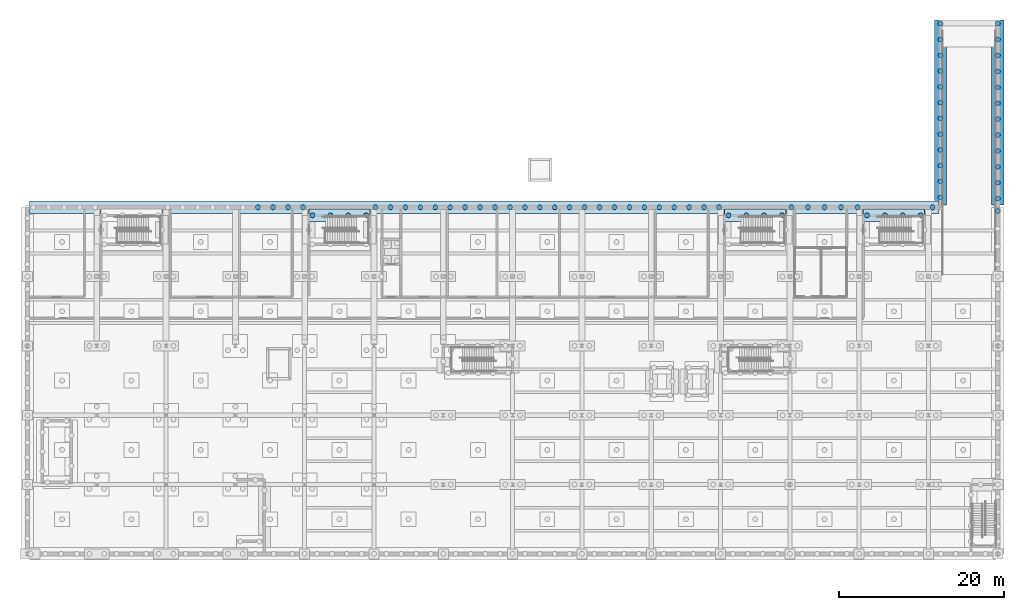
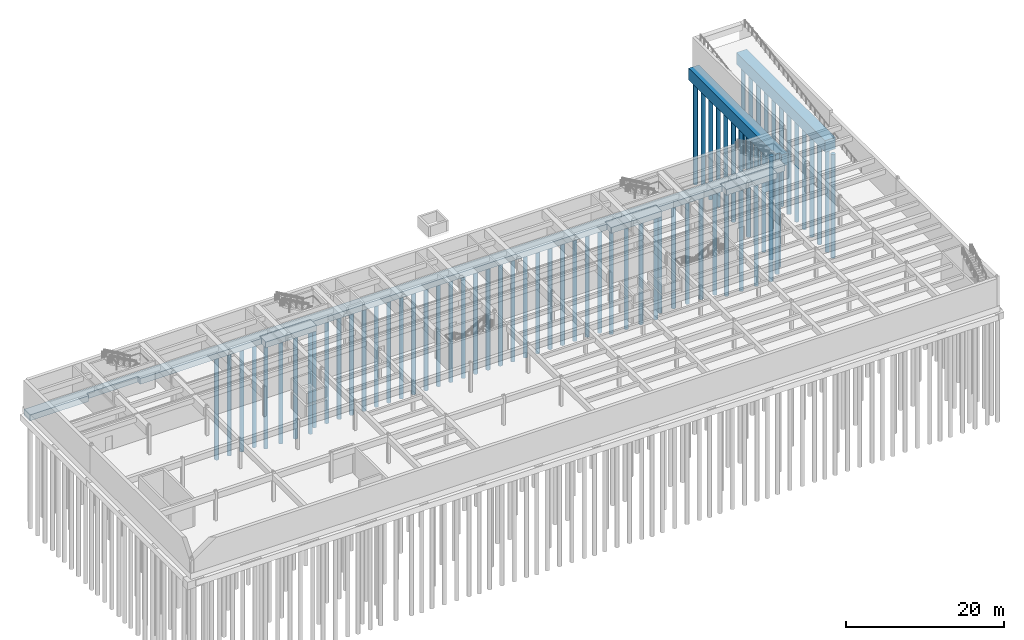
# One storey, part 10 of 33: 71 piles, 6 footings.
"""IFC4 building model written with IfcOpenShell, lengths in metres."""

from ifc_helpers import new_model, si_unit, direction, frame, origin, origin_2d, place, context, subcontext, project, spatial, polyline, circle, outline, extrude, material, layer, layer_set, material_profile, profile_set, type_object, element, save


model = new_model("IFC4")

# Units and contexts
model_context = context("Model", 3, precision=1e-05, world=origin(), true_north=direction((0.0, 1.0)))
body_context = subcontext(model_context, "Body", "Model", "MODEL_VIEW")
ifc_project = project(units=[si_unit("LENGTHUNIT", "METRE"), si_unit("AREAUNIT", "SQUARE_METRE"), si_unit("VOLUMEUNIT", "CUBIC_METRE"), si_unit("PLANEANGLEUNIT", "RADIAN"), si_unit("MASSUNIT", "GRAM", prefix="KILO")], contexts=[model_context])

# Site, building, storey
site_placement = place(None, origin())
site = spatial("IfcSite", under=ifc_project, at=site_placement, CompositionType="ELEMENT")
building_placement = place(site_placement, origin())
building = spatial("IfcBuilding", under=site, at=building_placement, Name="Ljudholm Concert House", CompositionType="ELEMENT")
storey_placement = place(building_placement, frame((0.0, 0.0, -4.60009765625)))
storey = spatial("IfcBuildingStorey", under=building, at=storey_placement, Name="B1", CompositionType="ELEMENT", Elevation=-4.60009765625)

# Piles
ifc_material_1 = material(Name="Concrete 5,000 psi", Category="concrete")
ifc_material_profile = material_profile(ifc_material_1, circle(Radius=0.300048828125, at=origin_2d()), Name="AUGER-CAST PILE D600")
ifc_profile_set = profile_set([ifc_material_profile], Name="Concrete 5,000 psi")
pile_type = type_object("IfcPileType", Name="AUGER-CAST PILE D600", PredefinedType="BORED", material=ifc_profile_set)
for number, where, z_axis, x_axis, name in (
    (1, (38.550048828125, 145.824951171875, -1.7998046875), (0.0, 0.0, -1.0), (1.0, 0.0, 0.0), "Pile D600"),
    (2, (40.715087890625, 145.824951171875, -1.7998046875), (0.0, 0.0, -1.0), (1.0, 0.0, 0.0), "Pile D600"),
    (3, (42.8798828125, 145.824951171875, -1.7998046875), (0.0, 0.0, -1.0), (1.0, 0.0, 0.0), "Pile D600"),
    (4, (45.044921875, 145.824951171875, -1.7998046875), (0.0, 0.0, -1.0), (1.0, 0.0, 0.0), "Pile D600"),
    (5, (88.949951171875, 145.824951171875, -1.7998046875), (0.0, 0.0, -1.0), (1.0, 0.0, 0.0), "Pile D600"),
    (6, (91.114990234375, 145.824951171875, -1.7998046875), (0.0, 0.0, -1.0), (1.0, 0.0, 0.0), "Pile D600"),
    (7, (93.280029296875, 145.824951171875, -1.7998046875), (0.0, 0.0, -1.0), (1.0, 0.0, 0.0), "Pile D600"),
    (8, (95.445068359375, 145.824951171875, -1.7998046875), (0.0, 0.0, -1.0), (1.0, 0.0, 0.0), "Pile D600"),
    (9, (105.75, 145.824951171875, -1.7998046875), (0.0, 0.0, -1.0), (1.0, 0.0, 0.0), "Pile D600"),
    (10, (107.9150390625, 145.824951171875, -1.7998046875), (0.0, 0.0, -1.0), (1.0, 0.0, 0.0), "Pile D600"),
    (11, (110.080078125, 145.824951171875, -1.7998046875), (0.0, 0.0, -1.0), (1.0, 0.0, 0.0), "Pile D600"),
    (12, (112.2451171875, 145.824951171875, -1.7998046875), (0.0, 0.0, -1.0), (1.0, 0.0, 0.0), "Pile D600"),
    (13, (31.935302734375, 146.800048828125, -1.7998046875), (0.0, 0.0, -1.0), (1.0, 0.0, 0.0), "Pile D600"),
    (14, (33.760498046875, 146.800048828125, -1.7998046875), (0.0, 0.0, -1.0), (1.0, 0.0, 0.0), "Pile D600"),
    (15, (35.58544921875, 146.800048828125, -1.7998046875), (0.0, 0.0, -1.0), (1.0, 0.0, 0.0), "Pile D600"),
    (16, (37.41064453125, 146.800048828125, -1.7998046875), (0.0, 0.0, -1.0), (1.0, 0.0, 0.0), "Pile D600"),
    (17, (46.184326171875, 146.800048828125, -1.7998046875), (0.0, 0.0, -1.0), (1.0, 0.0, 0.0), "Pile D600"),
    (18, (47.994140625, 146.800048828125, -1.7998046875), (0.0, 0.0, -1.0), (1.0, 0.0, 0.0), "Pile D600"),
    (19, (49.803955078125, 146.800048828125, -1.7998046875), (0.0, 0.0, -1.0), (1.0, 0.0, 0.0), "Pile D600"),
    (20, (51.61376953125, 146.800048828125, -1.7998046875), (0.0, 0.0, -1.0), (1.0, 0.0, 0.0), "Pile D600"),
    (21, (53.423583984375, 146.800048828125, -1.7998046875), (0.0, 0.0, -1.0), (1.0, 0.0, 0.0), "Pile D600"),
    (22, (55.233642578125, 146.800048828125, -1.7998046875), (0.0, 0.0, -1.0), (1.0, 0.0, 0.0), "Pile D600"),
    (23, (57.04345703125, 146.800048828125, -1.7998046875), (0.0, 0.0, -1.0), (1.0, 0.0, 0.0), "Pile D600"),
    (24, (58.853271484375, 146.800048828125, -1.7998046875), (0.0, 0.0, -1.0), (1.0, 0.0, 0.0), "Pile D600"),
    (25, (60.6630859375, 146.800048828125, -1.7998046875), (0.0, 0.0, -1.0), (1.0, 0.0, 0.0), "Pile D600"),
    (26, (62.472900390625, 146.800048828125, -1.7998046875), (0.0, 0.0, -1.0), (1.0, 0.0, 0.0), "Pile D600"),
    (27, (64.28271484375, 146.800048828125, -1.7998046875), (0.0, 0.0, -1.0), (1.0, 0.0, 0.0), "Pile D600"),
    (28, (66.092529296875, 146.800048828125, -1.7998046875), (0.0, 0.0, -1.0), (1.0, 0.0, 0.0), "Pile D600"),
    (29, (67.90234375, 146.800048828125, -1.7998046875), (0.0, 0.0, -1.0), (1.0, 0.0, 0.0), "Pile D600"),
    (30, (69.712158203125, 146.800048828125, -1.7998046875), (0.0, 0.0, -1.0), (1.0, 0.0, 0.0), "Pile D600"),
    (31, (71.522216796875, 146.800048828125, -1.7998046875), (0.0, 0.0, -1.0), (1.0, 0.0, 0.0), "Pile D600"),
    (32, (73.33203125, 146.800048828125, -1.7998046875), (0.0, 0.0, -1.0), (1.0, 0.0, 0.0), "Pile D600"),
    (33, (75.141845703125, 146.800048828125, -1.7998046875), (0.0, 0.0, -1.0), (1.0, 0.0, 0.0), "Pile D600"),
    (34, (76.95166015625, 146.800048828125, -1.7998046875), (0.0, 0.0, -1.0), (1.0, 0.0, 0.0), "Pile D600"),
    (35, (78.761474609375, 146.800048828125, -1.7998046875), (0.0, 0.0, -1.0), (1.0, 0.0, 0.0), "Pile D600"),
    (36, (80.5712890625, 146.800048828125, -1.7998046875), (0.0, 0.0, -1.0), (1.0, 0.0, 0.0), "Pile D600"),
    (37, (82.381103515625, 146.800048828125, -1.7998046875), (0.0, 0.0, -1.0), (1.0, 0.0, 0.0), "Pile D600"),
    (38, (84.19091796875, 146.800048828125, -1.7998046875), (0.0, 0.0, -1.0), (1.0, 0.0, 0.0), "Pile D600"),
    (39, (86.000732421875, 146.800048828125, -1.7998046875), (0.0, 0.0, -1.0), (1.0, 0.0, 0.0), "Pile D600"),
    (40, (87.810791015625, 146.800048828125, -1.7998046875), (0.0, 0.0, -1.0), (1.0, 0.0, 0.0), "Pile D600"),
    (41, (96.584228515625, 146.800048828125, -1.7998046875), (0.0, 0.0, -1.0), (1.0, 0.0, 0.0), "Pile D600"),
    (42, (98.5908203125, 146.800048828125, -1.7998046875), (0.0, 0.0, -1.0), (1.0, 0.0, 0.0), "Pile D600"),
    (43, (100.597412109375, 146.800048828125, -1.7998046875), (0.0, 0.0, -1.0), (1.0, 0.0, 0.0), "Pile D600"),
    (44, (102.60400390625, 146.800048828125, -1.7998046875), (0.0, 0.0, -1.0), (1.0, 0.0, 0.0), "Pile D600"),
    (45, (104.610595703125, 146.800048828125, -1.7998046875), (0.0, 0.0, -1.0), (1.0, 0.0, 0.0), "Pile D600"),
    (46, (113.692138671875, 146.800048828125, -1.7998046875), (0.0, 0.0, -1.0), (1.0, 0.0, 0.0), "Pile D600"),
    (47, (121.60009765625, 146.35009765625, -1.7998046875), (0.0, 0.0, -1.0), (1.0, 0.0, 0.0), "Pile D600"),
    (48, (114.64990234375, 148.023681640625, -1.7998046875), (0.0, 0.0, -1.0), (1.0, 0.0, 0.0), "Pile D600"),
    (49, (114.64990234375, 149.93505859375, -1.7998046875), (0.0, 0.0, -1.0), (1.0, 0.0, 0.0), "Pile D600"),
    (50, (114.64990234375, 151.8466796875, -1.7998046875), (0.0, 0.0, -1.0), (1.0, 0.0, 0.0), "Pile D600"),
    (51, (114.64990234375, 153.758056640625, -1.7998046875), (0.0, 0.0, -1.0), (1.0, 0.0, 0.0), "Pile D600"),
    (52, (114.64990234375, 155.669677734375, -1.7998046875), (0.0, 0.0, -1.0), (1.0, 0.0, 0.0), "Pile D600"),
    (53, (114.64990234375, 157.5810546875, -1.7998046875), (0.0, 0.0, -1.0), (1.0, 0.0, 0.0), "Pile D600"),
    (54, (114.64990234375, 159.49267578125, -1.7998046875), (0.0, 0.0, -1.0), (1.0, 0.0, 0.0), "Pile D600"),
    (55, (114.64990234375, 161.404052734375, -1.7998046875), (0.0, 0.0, -1.0), (1.0, 0.0, 0.0), "Pile D600"),
    (56, (114.64990234375, 163.315673828125, -1.7998046875), (0.0, 0.0, -1.0), (1.0, 0.0, 0.0), "Pile D600"),
    (57, (114.64990234375, 165.22705078125, -1.7998046875), (0.0, 0.0, -1.0), (1.0, 0.0, 0.0), "Pile D600"),
    (58, (114.64990234375, 167.138427734375, -1.7998046875), (0.0, 0.0, -1.0), (1.0, 0.0, 0.0), "Pile D600"),
    (59, (114.64990234375, 169.050048828125, -1.7998046875), (0.0, 0.0, -1.0), (1.0, 0.0, 0.0), "Pile D600"),
    (60, (121.60009765625, 147.85009765625, -1.7998046875), (0.0, 0.0, -1.0), (1.0, 0.0, 0.0), "Pile D600"),
    (61, (121.60009765625, 149.77734375, -1.7998046875), (0.0, 0.0, -1.0), (1.0, 0.0, 0.0), "Pile D600"),
    (62, (121.60009765625, 151.70458984375, -1.7998046875), (0.0, 0.0, -1.0), (1.0, 0.0, 0.0), "Pile D600"),
    (63, (121.60009765625, 153.6318359375, -1.7998046875), (0.0, 0.0, -1.0), (1.0, 0.0, 0.0), "Pile D600"),
    (64, (121.60009765625, 155.55908203125, -1.7998046875), (0.0, 0.0, -1.0), (1.0, 0.0, 0.0), "Pile D600"),
    (65, (121.60009765625, 157.486328125, -1.7998046875), (0.0, 0.0, -1.0), (1.0, 0.0, 0.0), "Pile D600"),
    (66, (121.60009765625, 159.41357421875, -1.7998046875), (0.0, 0.0, -1.0), (1.0, 0.0, 0.0), "Pile D600"),
    (67, (121.60009765625, 161.3408203125, -1.7998046875), (0.0, 0.0, -1.0), (1.0, 0.0, 0.0), "Pile D600"),
    (68, (121.60009765625, 163.26806640625, -1.7998046875), (0.0, 0.0, -1.0), (1.0, 0.0, 0.0), "Pile D600"),
    (69, (121.60009765625, 165.195556640625, -1.7998046875), (0.0, 0.0, -1.0), (1.0, 0.0, 0.0), "Pile D600"),
    (70, (121.60009765625, 167.122802734375, -1.7998046875), (0.0, 0.0, -1.0), (1.0, 0.0, 0.0), "Pile D600"),
    (71, (121.60009765625, 169.050048828125, -1.7998046875), (0.0, 0.0, -1.0), (1.0, 0.0, 0.0), "Pile D600"),
):
    element("IfcPile", number, at=place(storey_placement, frame(where, z_axis=z_axis, x_axis=x_axis)), inside=storey, type_object=pile_type, Name=name, PredefinedType="BORED", context=body_context, shape_type="SweptSolid", body=[
        extrude(circle(Radius=0.300048828125, at=origin_2d()), origin(), (0.0, 0.0, 1.0), 16.0),
    ])

# Footings
ifc_material_2 = material(Name="Concrete 5,000 psi", Category="concrete")
ifc_layer_1 = layer(ifc_material_2, 1.800048828125)
ifc_layer_set_1 = layer_set([ifc_layer_1], Name="Concrete 5,000 psi")
footing_type_1 = type_object("IfcFootingType", Name="RC STRIP FOOTING 1500x1800", PredefinedType="STRIP_FOOTING", material=ifc_layer_set_1)
footing_1_placement = place(storey_placement, frame((0.0, 0.0, -1.7998046875)))
element("IfcFooting", 72, at=footing_1_placement, inside=storey, type_object=footing_type_1, Name="Strip footing", PredefinedType="STRIP_FOOTING", context=body_context, shape_type="SweptSolid", body=[
    extrude(outline(polyline([(113.909912109375, 147.60009765625), (114.48974609375, 147.60009765625), (114.493896484375, 147.59912109375), (114.4970703125, 147.59716796875), (114.499267578125, 147.59375), (114.5, 147.58984375), (114.5, 147.06005859375), (114.501708984375, 147.054443359375), (114.506103515625, 147.05078125), (114.510009765625, 147.050048828125), (115.389892578125, 147.050048828125), (115.3955078125, 147.0517578125), (115.399169921875, 147.05615234375), (115.39990234375, 147.06005859375), (115.39990234375, 169.489990234375), (115.399169921875, 169.493896484375), (115.397705078125, 169.496337890625), (115.394775390625, 169.498779296875), (115.390869140625, 169.5), (113.909912109375, 169.5), (113.906982421875, 169.49951171875), (113.903564453125, 169.497802734375), (113.901123046875, 169.49462890625), (113.900146484375, 169.490966796875), (113.89990234375, 147.610107421875), (113.90087890625, 147.606201171875), (113.90283203125, 147.60302734375), (113.90625, 147.600830078125), (113.909912109375, 147.60009765625)])), origin(), (0.0, 0.0, 1.0), 1.7998046875),
])
footing_2_placement = place(storey_placement, frame((0.0, 0.0, -1.7998046875)))
element("IfcFooting", 73, at=footing_2_placement, inside=storey, type_object=footing_type_1, Name="Strip footing", PredefinedType="STRIP_FOOTING", context=body_context, shape_type="SweptSolid", body=[
    extrude(outline(polyline([(120.860107421875, 147.050048828125), (122.340087890625, 147.050048828125), (122.343017578125, 147.050537109375), (122.346435546875, 147.05224609375), (122.348876953125, 147.05517578125), (122.349853515625, 147.05908203125), (122.35009765625, 169.489990234375), (122.34912109375, 169.493896484375), (122.34765625, 169.496337890625), (122.3447265625, 169.498779296875), (122.341064453125, 169.5), (120.860107421875, 169.5), (120.857177734375, 169.49951171875), (120.853759765625, 169.497802734375), (120.85107421875, 169.49462890625), (120.85009765625, 169.490966796875), (120.85009765625, 147.06005859375), (120.850830078125, 147.05615234375), (120.85302734375, 147.052978515625), (120.856201171875, 147.05078125), (120.860107421875, 147.050048828125)])), origin(), (0.0, 0.0, 1.0), 1.7998046875),
])
ifc_material_3 = material(Name="Concrete 5,000 psi", Category="concrete")
ifc_layer_2 = layer(ifc_material_3, 0.89990234375)
ifc_layer_set_2 = layer_set([ifc_layer_2], Name="Concrete 5,000 psi")
footing_type_2 = type_object("IfcFootingType", Name="RC STRIP FOOTING 1500x900", PredefinedType="STRIP_FOOTING", material=ifc_layer_set_2)
footing_3_placement = place(storey_placement, frame((0.0, 0.0, -1.7998046875)))
element("IfcFooting", 74, at=footing_3_placement, inside=storey, type_object=footing_type_2, Name="Strip footing", PredefinedType="STRIP_FOOTING", context=body_context, shape_type="SweptSolid", body=[
    extrude(outline(polyline([(38.110107421875, 145.074951171875), (45.487060546875, 145.0751953125), (45.48974609375, 145.076171875), (45.49267578125, 145.07861328125), (45.49462890625, 145.08203125), (45.4951171875, 145.0849609375), (45.494873046875, 146.56689453125), (45.493896484375, 146.56982421875), (45.491455078125, 146.57275390625), (45.48779296875, 146.574462890625), (45.485107421875, 146.574951171875), (38.108154296875, 146.57470703125), (38.105224609375, 146.57373046875), (38.102294921875, 146.5712890625), (38.100341796875, 146.56787109375), (38.10009765625, 146.56494140625), (38.10009765625, 145.0849609375), (38.100830078125, 145.0810546875), (38.10302734375, 145.077880859375), (38.106201171875, 145.07568359375), (38.110107421875, 145.074951171875)])), origin(), (0.0, 0.0, 1.0), 0.89990234375),
])
footing_4_placement = place(storey_placement, frame((0.0, 0.0, -1.7998046875)))
element("IfcFooting", 75, at=footing_4_placement, inside=storey, type_object=footing_type_2, Name="Strip footing", PredefinedType="STRIP_FOOTING", context=body_context, shape_type="SweptSolid", body=[
    extrude(outline(polyline([(88.510009765625, 145.074951171875), (95.886962890625, 145.0751953125), (95.8896484375, 145.076171875), (95.892822265625, 145.07861328125), (95.894287109375, 145.0810546875), (95.89501953125, 145.0849609375), (95.894775390625, 146.56689453125), (95.893798828125, 146.56982421875), (95.891357421875, 146.57275390625), (95.887939453125, 146.574462890625), (95.885009765625, 146.574951171875), (88.508056640625, 146.57470703125), (88.50537109375, 146.57373046875), (88.502197265625, 146.5712890625), (88.500732421875, 146.56884765625), (88.5, 146.56494140625), (88.5, 145.0849609375), (88.500732421875, 145.0810546875), (88.5029296875, 145.077880859375), (88.506103515625, 145.07568359375), (88.510009765625, 145.074951171875)])), origin(), (0.0, 0.0, 1.0), 0.89990234375),
])
footing_5_placement = place(storey_placement, frame((0.0, 0.0, -1.7998046875)))
element("IfcFooting", 76, at=footing_5_placement, inside=storey, type_object=footing_type_2, Name="Strip footing", PredefinedType="STRIP_FOOTING", context=body_context, shape_type="SweptSolid", body=[
    extrude(outline(polyline([(105.31005859375, 145.074951171875), (112.68701171875, 145.0751953125), (112.689697265625, 145.076171875), (112.692626953125, 145.07861328125), (112.6943359375, 145.0810546875), (112.695068359375, 145.0849609375), (112.69482421875, 146.56689453125), (112.69384765625, 146.56982421875), (112.69140625, 146.57275390625), (112.68798828125, 146.574462890625), (112.68505859375, 146.574951171875), (105.30810546875, 146.57470703125), (105.30517578125, 146.57373046875), (105.30224609375, 146.5712890625), (105.30078125, 146.56884765625), (105.300048828125, 146.56494140625), (105.300048828125, 145.0849609375), (105.30078125, 145.0810546875), (105.302978515625, 145.077880859375), (105.30615234375, 145.07568359375), (105.31005859375, 145.074951171875)])), origin(), (0.0, 0.0, 1.0), 0.89990234375),
])
footing_6_placement = place(storey_placement, frame((0.0, 0.0, -1.7998046875)))
element("IfcFooting", 77, at=footing_6_placement, inside=storey, type_object=footing_type_2, Name="Strip footing", PredefinedType="STRIP_FOOTING", context=body_context, shape_type="SweptSolid", body=[
    extrude(outline(polyline([(4.25, 147.5400390625), (4.25, 146.06005859375), (4.250732421875, 146.05615234375), (4.2529296875, 146.052978515625), (4.256103515625, 146.05078125), (4.260009765625, 146.050048828125), (12.841064453125, 146.050048828125), (12.8447265625, 146.05126953125), (12.84765625, 146.0537109375), (12.84912109375, 146.05615234375), (12.85009765625, 146.06005859375), (12.85009765625, 146.61474609375), (12.850830078125, 146.618896484375), (12.85302734375, 146.6220703125), (12.856201171875, 146.624267578125), (12.8603515625, 146.625), (20.3359375, 146.625), (20.339599609375, 146.623779296875), (20.3427734375, 146.621337890625), (20.344482421875, 146.617919921875), (20.344970703125, 146.61474609375), (20.344970703125, 146.06005859375), (20.345703125, 146.05615234375), (20.347900390625, 146.052978515625), (20.35107421875, 146.05078125), (20.35498046875, 146.050048828125), (38.0400390625, 146.050048828125), (38.0439453125, 146.05078125), (38.047119140625, 146.052978515625), (38.04931640625, 146.05615234375), (38.050048828125, 146.06005859375), (38.050048828125, 146.61474609375), (38.050537109375, 146.617919921875), (38.05224609375, 146.621337890625), (38.05517578125, 146.623779296875), (38.05908203125, 146.625), (45.53466796875, 146.625), (45.538818359375, 146.624267578125), (45.5419921875, 146.6220703125), (45.544189453125, 146.618896484375), (45.544921875, 146.61474609375), (45.544921875, 146.06005859375), (45.545654296875, 146.05615234375), (45.5478515625, 146.052978515625), (45.55126953125, 146.05078125), (45.554931640625, 146.050048828125), (88.43994140625, 146.050048828125), (88.44384765625, 146.05078125), (88.447021484375, 146.052978515625), (88.44921875, 146.05615234375), (88.449951171875, 146.06005859375), (88.449951171875, 146.61474609375), (88.450439453125, 146.617919921875), (88.452392578125, 146.621337890625), (88.455322265625, 146.623779296875), (88.458984375, 146.625), (95.934814453125, 146.625), (95.938720703125, 146.624267578125), (95.942138671875, 146.6220703125), (95.9443359375, 146.618896484375), (95.945068359375, 146.61474609375), (95.945068359375, 146.06005859375), (95.94580078125, 146.05615234375), (95.947265625, 146.0537109375), (95.9501953125, 146.05126953125), (95.9541015625, 146.050048828125), (105.239990234375, 146.050048828125), (105.243896484375, 146.05078125), (105.2470703125, 146.052978515625), (105.249267578125, 146.05615234375), (105.25, 146.06005859375), (105.25, 146.61474609375), (105.25048828125, 146.617919921875), (105.252197265625, 146.621337890625), (105.25537109375, 146.623779296875), (105.259033203125, 146.625), (112.73486328125, 146.625), (112.73876953125, 146.624267578125), (112.741943359375, 146.6220703125), (112.744140625, 146.618896484375), (112.7451171875, 146.61474609375), (112.7451171875, 146.06005859375), (112.745849609375, 146.05615234375), (112.747314453125, 146.0537109375), (112.752197265625, 146.050537109375), (114.43994140625, 146.050048828125), (114.44384765625, 146.05078125), (114.447021484375, 146.052978515625), (114.44921875, 146.05615234375), (114.449951171875, 146.06005859375), (114.449951171875, 147.5400390625), (114.44921875, 147.5439453125), (114.447021484375, 147.547119140625), (114.44384765625, 147.54931640625), (114.43994140625, 147.550048828125), (4.260009765625, 147.550048828125), (4.256103515625, 147.54931640625), (4.2529296875, 147.547119140625), (4.250732421875, 147.5439453125), (4.25, 147.5400390625)])), origin(), (0.0, 0.0, 1.0), 0.89990234375),
])

save(model, "model.ifc")
